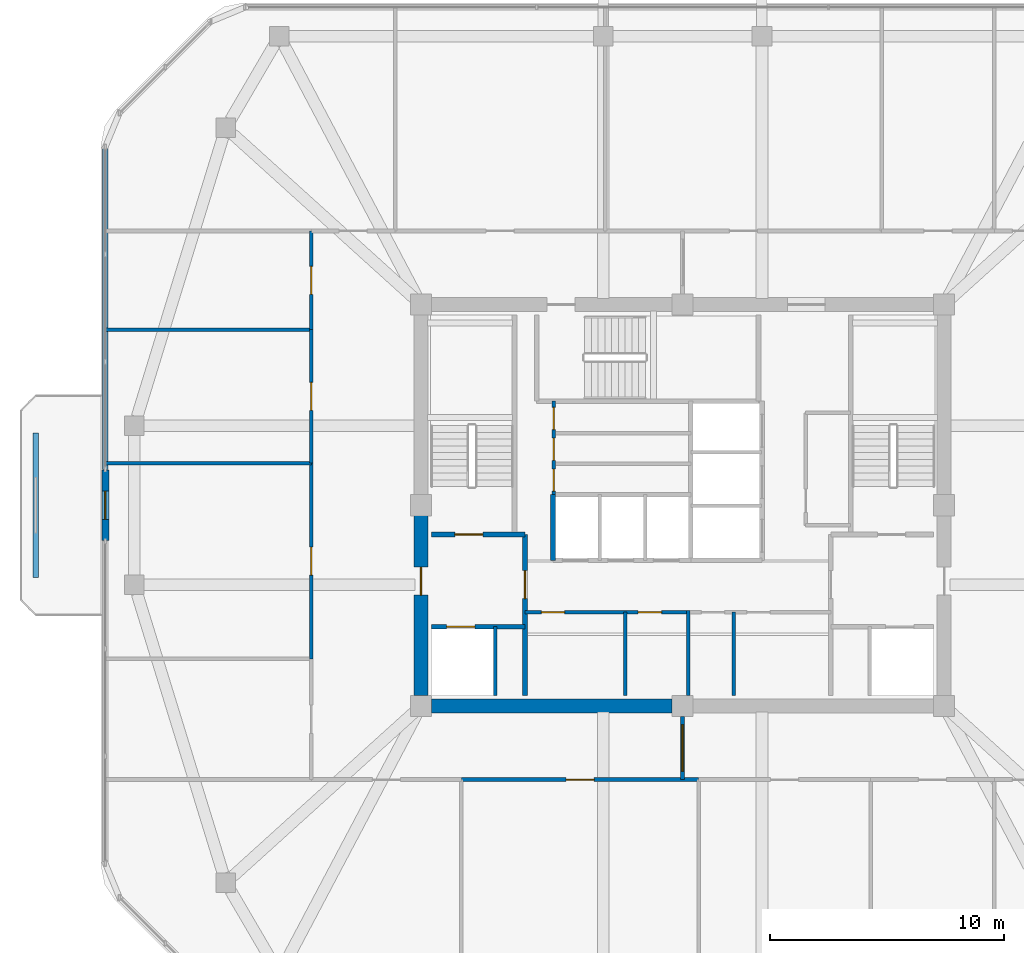
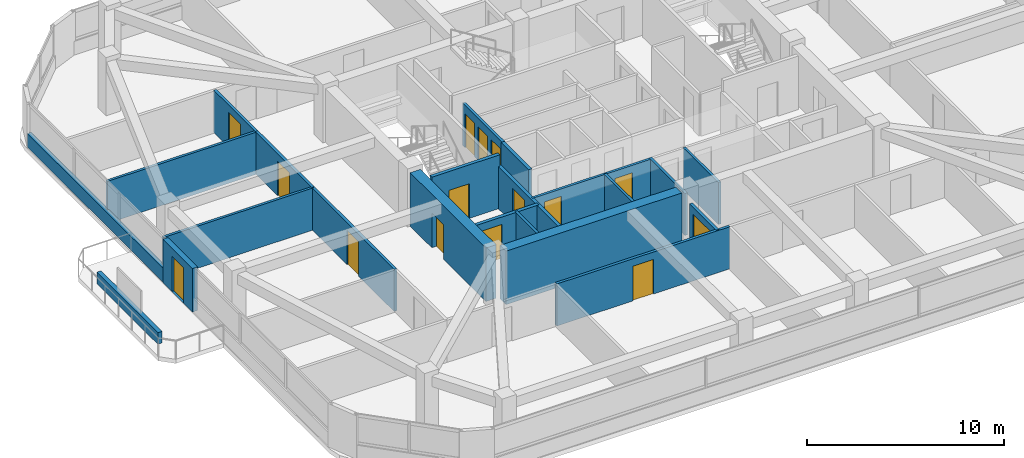
# One storey, part 9 of 14: 22 walls, 15 doors, 15 openings.
"""IFC4 building model written with IfcOpenShell, lengths in metres."""

from ifc_helpers import new_model, si_unit, derived_unit, direction, frame, frame_2d, origin, place, context, subcontext, project, spatial, rectangle, extrude, material, layer, layer_set, type_object, element, fill, save


model = new_model("IFC4")

# Units and contexts
model_context = context("Model", 3, precision=1e-05, world=origin(), true_north=direction((0.0, 1.0)))
body_context = subcontext(model_context, "Body", "Model", "MODEL_VIEW")
ifc_project = project(units=[si_unit("LENGTHUNIT", "METRE"), si_unit("AREAUNIT", "SQUARE_METRE"), si_unit("VOLUMEUNIT", "CUBIC_METRE"), si_unit("PLANEANGLEUNIT", "RADIAN"), si_unit("MASSUNIT", "GRAM", prefix="KILO"), derived_unit("THERMALTRANSMITTANCEUNIT", [(si_unit("POWERUNIT", "WATT"), 1), (si_unit("LENGTHUNIT", "METRE"), -2), (si_unit("THERMODYNAMICTEMPERATUREUNIT", "KELVIN"), -1)])], contexts=[model_context])

# Site, building, storey
site_placement = place(None, origin())
site = spatial("IfcSite", under=ifc_project, at=site_placement, CompositionType="ELEMENT")
building_placement = place(site_placement, origin())
building = spatial("IfcBuilding", under=site, at=building_placement, Name="Koralith Skygarden Medical Center", CompositionType="ELEMENT")
storey_placement = place(building_placement, frame((0.0, 0.0, 242.820068359375)))
storey = spatial("IfcBuildingStorey", under=building, at=storey_placement, Name="L62", CompositionType="ELEMENT", Elevation=242.820068359375)

# Wall, openings, doors
ifc_material_1 = material(Name="Gypsum Board Partition")
ifc_layer_1 = layer(ifc_material_1, 0.14990234375)
ifc_layer_set_1 = layer_set([ifc_layer_1], Name="Gypsum Board Partition")
wall_type_1 = type_object("IfcWallType", Name="Clinical Acoustic Partition 150", PredefinedType="PARTITIONING", material=ifc_layer_set_1)
wall_1_placement = place(storey_placement, frame((30.25, 21.320068359375, 0.0), z_axis=(0.0, 0.0, 1.0), x_axis=(1.0, 0.0, 0.0)))
wall_1 = element("IfcWall", 1, at=wall_1_placement, inside=storey, type_object=wall_type_1, Name="L62 Clinical Acoustic Partition 150 W-CORE-L62-FREED-LR-N", PredefinedType="PARTITIONING", context=body_context, shape_type="SweptSolid", body=[
    extrude(rectangle(XDim=7.0, YDim=0.14990234375, at=frame_2d((3.5, 0.0))), origin(), (0.0, 0.0, 1.0), 2.60986328125),
])
opening_1_placement = place(wall_1_placement, frame((0.699951171875, 0.0, 0.0)))
opening_1 = element("IfcOpeningElement", 2, at=opening_1_placement, cuts=wall_1, Name="Opening D-SUP", PredefinedType="OPENING", context=body_context, shape_type="SweptSolid", body=[
    extrude(rectangle(XDim=1.0, YDim=2.14990234375, at=frame_2d((0.5, 1.074951171875))), frame((0.0, 0.0849609375, 0.0), z_axis=(0.0, -1.0, 0.0), x_axis=(1.0, 0.0, 0.0)), (0.0, 0.0, 1.0), 0.169921875),
])
opening_2_placement = place(wall_1_placement, frame((4.85009765625, 0.0, 0.0)))
opening_2 = element("IfcOpeningElement", 3, at=opening_2_placement, cuts=wall_1, Name="Opening D-SUP", PredefinedType="OPENING", context=body_context, shape_type="SweptSolid", body=[
    extrude(rectangle(XDim=1.0, YDim=2.14990234375, at=frame_2d((0.5, 1.074951171875))), frame((0.0, 0.0849609375, 0.0), z_axis=(0.0, -1.0, 0.0), x_axis=(1.0, 0.0, 0.0)), (0.0, 0.0, 1.0), 0.169921875),
])
ifc_material_2 = material(Name="Aluminium 6063-T6", Category="aluminium")
door_type_1 = type_object("IfcDoorType", Name="Clinical Support Door D-SUP 1000", OperationType="NOTDEFINED", PredefinedType="DOOR", material=ifc_material_2)
door_1_placement = place(opening_1_placement, frame((1.0, 0.0, 0.0), z_axis=(0.0, 0.0, 1.0), x_axis=(-1.0, 0.0, 0.0)))
door_1 = element("IfcDoor", 4, at=door_1_placement, inside=storey, type_object=door_type_1, Name="L62 Medication Preparation Door", OperationType="SINGLE_SWING_LEFT", OverallHeight=2.14990234375, OverallWidth=1.0, PredefinedType="DOOR", context=body_context, shape_type="SweptSolid", body=[
    extrude(rectangle(XDim=1.0, YDim=2.14990234375, at=frame_2d((0.5, 1.074951171875))), frame((0.0, 0.02490234375, 0.0), z_axis=(0.0, -1.0, 0.0), x_axis=(1.0, 0.0, 0.0)), (0.0, 0.0, 1.0), 0.050048828125),
])
fill(opening_1, door_1)
door_2_placement = place(opening_2_placement, frame((1.0, 0.0, 0.0), z_axis=(0.0, 0.0, 1.0), x_axis=(-1.0, 0.0, 0.0)))
door_2 = element("IfcDoor", 5, at=door_2_placement, inside=storey, type_object=door_type_1, Name="L62 Telemetry Room Door", OperationType="SINGLE_SWING_RIGHT", OverallHeight=2.14990234375, OverallWidth=1.0, PredefinedType="DOOR", context=body_context, shape_type="SweptSolid", body=[
    extrude(rectangle(XDim=1.0, YDim=2.14990234375, at=frame_2d((0.5, 1.074951171875))), frame((0.0, 0.02490234375, 0.0), z_axis=(0.0, -1.0, 0.0), x_axis=(1.0, 0.0, 0.0)), (0.0, 0.0, 1.0), 0.050048828125),
])
fill(opening_2, door_2)

# Walls
for number, where, z_axis, x_axis, name in (
    (6, (34.550048828125, 17.75, 0.0), (0.0, 0.0, 1.0), (0.0, 1.0, 0.0), "L62 Clinical Acoustic Partition 150 W-CORE-L62-FREED-LR-M"),
    (7, (39.199951171875, 17.75, 0.0), (0.0, 0.0, 1.0), (0.0, 1.0, 0.0), "L62 Clinical Acoustic Partition 150 W-CORE-L62-FREED-MR-M"),
):
    element("IfcWall", number, at=place(storey_placement, frame(where, z_axis=z_axis, x_axis=x_axis)), inside=storey, type_object=wall_type_1, Name=name, PredefinedType="PARTITIONING", context=body_context, shape_type="SweptSolid", body=[
        extrude(rectangle(XDim=3.570068359375, YDim=0.14990234375, at=frame_2d((1.78515625, 0.0))), origin(), (0.0, 0.0, 1.0), 2.60986328125),
    ])
for number, where, z_axis, x_axis, name in (
    (8, (21.10009765625, 27.699951171875, 0.0), (0.0, 0.0, 1.0), (-1.0, 0.0, 0.0), "L62 Clinical Acoustic Partition 150 W-PART-L62-W-02"),
    (9, (21.10009765625, 33.419921875, 0.0), (0.0, 0.0, 1.0), (-1.0, 0.0, 0.0), "L62 Clinical Acoustic Partition 150 W-PART-L62-W-03"),
):
    element("IfcWall", number, at=place(storey_placement, frame(where, z_axis=z_axis, x_axis=x_axis)), inside=storey, type_object=wall_type_1, Name=name, PredefinedType="PARTITIONING", context=body_context, shape_type="SweptSolid", body=[
        extrude(rectangle(XDim=8.800048828125, YDim=0.14990234375, at=frame_2d((4.39990234375, 0.0))), origin(), (0.0, 0.0, 1.0), 2.60986328125),
    ])

# Wall, opening, door
ifc_layer_2 = layer(ifc_material_1, 0.1650390625)
ifc_layer_set_2 = layer_set([ifc_layer_2], Name="Gypsum Board Partition")
wall_type_2 = type_object("IfcWallType", Name="Clinical Corridor Partition 165", PredefinedType="PARTITIONING", material=ifc_layer_set_2)
wall_2_placement = place(storey_placement, frame((27.528076171875, 14.14990234375, 0.0), z_axis=(0.0, 0.0, 1.0), x_axis=(1.0, 0.0, 0.0)))
wall_2 = element("IfcWall", 10, at=wall_2_placement, inside=storey, type_object=wall_type_2, Name="L62 Clinical Corridor Partition 165 W-CORR-L62-S-02", PredefinedType="PARTITIONING", context=body_context, shape_type="SweptSolid", body=[
    extrude(rectangle(XDim=10.162841796875, YDim=0.1650390625, at=frame_2d((5.08154296875, 0.0))), origin(), (0.0, 0.0, 1.0), 2.60986328125),
])
opening_3_placement = place(wall_2_placement, frame((4.48193359375, 0.0, 0.0)))
opening_3 = element("IfcOpeningElement", 11, at=opening_3_placement, cuts=wall_2, Name="Opening D-CLN", PredefinedType="OPENING", context=body_context, shape_type="SweptSolid", body=[
    extrude(rectangle(XDim=1.199951171875, YDim=2.14990234375, at=frame_2d((0.60009765625, 1.074951171875))), frame((0.0, 0.092529296875, 0.0), z_axis=(0.0, -1.0, 0.0), x_axis=(1.0, 0.0, 0.0)), (0.0, 0.0, 1.0), 0.18505859375),
])
door_type_2 = type_object("IfcDoorType", Name="Clinical Corridor Door D-CLN 1200", OperationType="NOTDEFINED", PredefinedType="DOOR", material=ifc_material_2)
door_3_placement = place(opening_3_placement, frame((1.199951171875, 0.0, 0.0), z_axis=(0.0, 0.0, 1.0), x_axis=(-1.0, 0.0, 0.0)))
door_3 = element("IfcDoor", 12, at=door_3_placement, inside=storey, type_object=door_type_2, Name="L62 Social Work Counseling Office 07 Door", OperationType="SINGLE_SWING_RIGHT", OverallHeight=2.14990234375, OverallWidth=1.199951171875, PredefinedType="DOOR", context=body_context, shape_type="SweptSolid", body=[
    extrude(rectangle(XDim=1.199951171875, YDim=2.14990234375, at=frame_2d((0.60009765625, 1.074951171875))), frame((0.0, 0.02490234375, 0.0), z_axis=(0.0, -1.0, 0.0), x_axis=(1.0, 0.0, 0.0)), (0.0, 0.0, 1.0), 0.050048828125),
])
fill(opening_3, door_3)

wall_3_placement = place(storey_placement, frame((21.10009765625, 19.320068359375, 0.0), z_axis=(0.0, 0.0, 1.0), x_axis=(0.0, 1.0, 0.0)))
wall_3 = element("IfcWall", 13, at=wall_3_placement, inside=storey, type_object=wall_type_2, Name="L62 Clinical Corridor Partition 165 W-CORR-L62-W-02", PredefinedType="PARTITIONING", context=body_context, shape_type="SweptSolid", body=[
    extrude(rectangle(XDim=8.3798828125, YDim=0.1650390625, at=frame_2d((4.18994140625, 0.0))), origin(), (0.0, 0.0, 1.0), 2.60986328125),
])
opening_4_placement = place(wall_3_placement, frame((3.590087890625, 0.0, 0.0)))
opening_4 = element("IfcOpeningElement", 14, at=opening_4_placement, cuts=wall_3, Name="Opening D-CLN", PredefinedType="OPENING", context=body_context, shape_type="SweptSolid", body=[
    extrude(rectangle(XDim=1.199951171875, YDim=2.14990234375, at=frame_2d((0.60009765625, 1.074951171875))), frame((0.0, 0.092529296875, 0.0), z_axis=(0.0, -1.0, 0.0), x_axis=(1.0, 0.0, 0.0)), (0.0, 0.0, 1.0), 0.18505859375),
])
door_4_placement = place(opening_4_placement, frame((1.199951171875, 0.0, 0.0), z_axis=(0.0, 0.0, 1.0), x_axis=(-1.0, 0.0, 0.0)))
door_4 = element("IfcDoor", 15, at=door_4_placement, inside=storey, type_object=door_type_2, Name="L62 Patient and Family Sky-Garden Day Lounge 12 Door", OperationType="SINGLE_SWING_LEFT", OverallHeight=2.14990234375, OverallWidth=1.199951171875, PredefinedType="DOOR", context=body_context, shape_type="SweptSolid", body=[
    extrude(rectangle(XDim=1.199951171875, YDim=2.14990234375, at=frame_2d((0.60009765625, 1.074951171875))), frame((0.0, 0.02490234375, 0.0), z_axis=(0.0, -1.0, 0.0), x_axis=(1.0, 0.0, 0.0)), (0.0, 0.0, 1.0), 0.050048828125),
])
fill(opening_4, door_4)

wall_4_placement = place(storey_placement, frame((21.10009765625, 27.699951171875, 0.0), z_axis=(0.0, 0.0, 1.0), x_axis=(0.0, 1.0, 0.0)))
wall_4 = element("IfcWall", 16, at=wall_4_placement, inside=storey, type_object=wall_type_2, Name="L62 Clinical Corridor Partition 165 W-CORR-L62-W-03", PredefinedType="PARTITIONING", context=body_context, shape_type="SweptSolid", body=[
    extrude(rectangle(XDim=5.719970703125, YDim=0.1650390625, at=frame_2d((2.85986328125, 0.0))), origin(), (0.0, 0.0, 1.0), 2.60986328125),
])
opening_5_placement = place(wall_4_placement, frame((2.260009765625, 0.0, 0.0)))
opening_5 = element("IfcOpeningElement", 17, at=opening_5_placement, cuts=wall_4, Name="Opening D-CLN", PredefinedType="OPENING", context=body_context, shape_type="SweptSolid", body=[
    extrude(rectangle(XDim=1.199951171875, YDim=2.14990234375, at=frame_2d((0.60009765625, 1.074951171875))), frame((0.0, 0.092529296875, 0.0), z_axis=(0.0, -1.0, 0.0), x_axis=(1.0, 0.0, 0.0)), (0.0, 0.0, 1.0), 0.18505859375),
])
door_5_placement = place(opening_5_placement, frame((1.199951171875, 0.0, 0.0), z_axis=(0.0, 0.0, 1.0), x_axis=(-1.0, 0.0, 0.0)))
door_5 = element("IfcDoor", 18, at=door_5_placement, inside=storey, type_object=door_type_2, Name="L62 Clinical Consultation Office 13 Door", OperationType="SINGLE_SWING_RIGHT", OverallHeight=2.14990234375, OverallWidth=1.199951171875, PredefinedType="DOOR", context=body_context, shape_type="SweptSolid", body=[
    extrude(rectangle(XDim=1.199951171875, YDim=2.14990234375, at=frame_2d((0.60009765625, 1.074951171875))), frame((0.0, 0.02490234375, 0.0), z_axis=(0.0, -1.0, 0.0), x_axis=(1.0, 0.0, 0.0)), (0.0, 0.0, 1.0), 0.050048828125),
])
fill(opening_5, door_5)

wall_5_placement = place(storey_placement, frame((21.10009765625, 33.419921875, 0.0), z_axis=(0.0, 0.0, 1.0), x_axis=(0.0, 1.0, 0.0)))
wall_5 = element("IfcWall", 19, at=wall_5_placement, inside=storey, type_object=wall_type_2, Name="L62 Clinical Corridor Partition 165 W-CORR-L62-W-04", PredefinedType="PARTITIONING", context=body_context, shape_type="SweptSolid", body=[
    extrude(rectangle(XDim=4.22998046875, YDim=0.1650390625, at=frame_2d((2.114990234375, 0.0))), origin(), (0.0, 0.0, 1.0), 2.60986328125),
])
opening_6_placement = place(wall_5_placement, frame((1.514892578125, 0.0, 0.0)))
opening_6 = element("IfcOpeningElement", 20, at=opening_6_placement, cuts=wall_5, Name="Opening D-CLN", PredefinedType="OPENING", context=body_context, shape_type="SweptSolid", body=[
    extrude(rectangle(XDim=1.199951171875, YDim=2.14990234375, at=frame_2d((0.60009765625, 1.074951171875))), frame((0.0, 0.092529296875, 0.0), z_axis=(0.0, -1.0, 0.0), x_axis=(1.0, 0.0, 0.0)), (0.0, 0.0, 1.0), 0.18505859375),
])
door_6_placement = place(opening_6_placement, frame((1.199951171875, 0.0, 0.0), z_axis=(0.0, 0.0, 1.0), x_axis=(-1.0, 0.0, 0.0)))
door_6 = element("IfcDoor", 21, at=door_6_placement, inside=storey, type_object=door_type_2, Name="L62 Staff Refreshment and Nutrition Pantry 14 Door", OperationType="SINGLE_SWING_LEFT", OverallHeight=2.14990234375, OverallWidth=1.199951171875, PredefinedType="DOOR", context=body_context, shape_type="SweptSolid", body=[
    extrude(rectangle(XDim=1.199951171875, YDim=2.14990234375, at=frame_2d((0.60009765625, 1.074951171875))), frame((0.0, 0.02490234375, 0.0), z_axis=(0.0, -1.0, 0.0), x_axis=(1.0, 0.0, 0.0)), (0.0, 0.0, 1.0), 0.050048828125),
])
fill(opening_6, door_6)

ifc_layer_3 = layer(ifc_material_1, 0.199951171875)
ifc_layer_set_3 = layer_set([ifc_layer_3], Name="Gypsum Board Partition")
wall_type_3 = type_object("IfcWallType", Name="Fire Shaft Wall 200", PredefinedType="SOLIDWALL", material=ifc_layer_set_3)
wall_6_placement = place(storey_placement, frame((26.25, 20.699951171875, 0.0), z_axis=(0.0, 0.0, 1.0), x_axis=(1.0, 0.0, 0.0)))
wall_6 = element("IfcWall", 22, at=wall_6_placement, inside=storey, type_object=wall_type_3, Name="L62 Fire Shaft Wall 200 W-CORE-L62-FF1-N", PredefinedType="SOLIDWALL", context=body_context, shape_type="SweptSolid", body=[
    extrude(rectangle(XDim=4.0, YDim=0.199951171875, at=frame_2d((2.0, 0.0))), origin(), (0.0, 0.0, 1.0), 2.60986328125),
])
opening_7_placement = place(wall_6_placement, frame((0.64990234375, 0.0, 0.0)))
opening_7 = element("IfcOpeningElement", 23, at=opening_7_placement, cuts=wall_6, Name="Opening LD-FF", PredefinedType="OPENING", context=body_context, shape_type="SweptSolid", body=[
    extrude(rectangle(XDim=1.199951171875, YDim=2.14990234375, at=frame_2d((0.60009765625, 1.074951171875))), frame((0.0, 0.10986328125, 0.0), z_axis=(0.0, -1.0, 0.0), x_axis=(1.0, 0.0, 0.0)), (0.0, 0.0, 1.0), 0.219970703125),
])
ifc_material_3 = material(Name="Steel ASTM A500 Grade C", Category="steel")
door_type_3 = type_object("IfcDoorType", Name="Fire Lift Sliding Landing Door LD-FF 1200", OperationType="NOTDEFINED", PredefinedType="DOOR", material=ifc_material_3)
door_7_placement = place(opening_7_placement, origin())
door_7 = element("IfcDoor", 24, at=door_7_placement, inside=storey, type_object=door_type_3, Name="L62 Fire Service Elevator FF1 Landing Door", OperationType="SLIDING_TO_LEFT", OverallHeight=2.14990234375, OverallWidth=1.199951171875, PredefinedType="DOOR", context=body_context, shape_type="SweptSolid", body=[
    extrude(rectangle(XDim=1.199951171875, YDim=2.14990234375, at=frame_2d((0.60009765625, 1.074951171875))), frame((0.0, 0.02490234375, 0.0), z_axis=(0.0, -1.0, 0.0), x_axis=(1.0, 0.0, 0.0)), (0.0, 0.0, 1.0), 0.050048828125),
])
fill(opening_7, door_7)

wall_7_placement = place(storey_placement, frame((30.25, 17.75, 0.0), z_axis=(0.0, 0.0, 1.0), x_axis=(0.0, 1.0, 0.0)))
wall_7 = element("IfcWall", 25, at=wall_7_placement, inside=storey, type_object=wall_type_3, Name="L62 Fire Shaft Wall 200 W-CORE-L62-FSAEW-E", PredefinedType="SOLIDWALL", context=body_context, shape_type="SweptSolid", body=[
    extrude(rectangle(XDim=6.89990234375, YDim=0.199951171875, at=frame_2d((3.449951171875, 0.0))), origin(), (0.0, 0.0, 1.0), 2.60986328125),
])
opening_8_placement = place(wall_7_placement, frame((4.14990234375, 0.0, 0.0)))
opening_8 = element("IfcOpeningElement", 26, at=opening_8_placement, cuts=wall_7, Name="Opening D-ST60", PredefinedType="OPENING", context=body_context, shape_type="SweptSolid", body=[
    extrude(rectangle(XDim=1.199951171875, YDim=2.14990234375, at=frame_2d((0.60009765625, 1.074951171875))), frame((0.0, 0.10986328125, 0.0), z_axis=(0.0, -1.0, 0.0), x_axis=(1.0, 0.0, 0.0)), (0.0, 0.0, 1.0), 0.219970703125),
])
door_type_4 = type_object("IfcDoorType", Name="Smokeproof Stair Fire Door FD60S 1200", OperationType="NOTDEFINED", PredefinedType="DOOR", material=ifc_material_3)
door_8_placement = place(opening_8_placement, origin())
door_8 = element("IfcDoor", 27, at=door_8_placement, inside=storey, type_object=door_type_4, Name="L62 West Firefighting Lobby Inner Fire Door", OperationType="SINGLE_SWING_LEFT", OverallHeight=2.14990234375, OverallWidth=1.199951171875, PredefinedType="DOOR", context=body_context, shape_type="SweptSolid", body=[
    extrude(rectangle(XDim=1.199951171875, YDim=2.14990234375, at=frame_2d((0.60009765625, 1.074951171875))), frame((0.0, 0.02490234375, 0.0), z_axis=(0.0, -1.0, 0.0), x_axis=(1.0, 0.0, 0.0)), (0.0, 0.0, 1.0), 0.050048828125),
])
fill(opening_8, door_8)

# Wall
wall_8_placement = place(storey_placement, frame((31.449951171875, 23.5400390625, 0.0), z_axis=(0.0, 0.0, 1.0), x_axis=(0.0, 1.0, 0.0)))
element("IfcWall", 28, at=wall_8_placement, inside=storey, type_object=wall_type_3, Name="L62 Fire Shaft Wall 200 W-CORE-L62-PH-W", PredefinedType="SOLIDWALL", context=body_context, shape_type="SweptSolid", body=[
    extrude(rectangle(XDim=2.81005859375, YDim=0.199951171875, at=frame_2d((1.405029296875, 0.0))), origin(), (0.0, 0.0, 1.0), 2.60986328125),
])

# Wall, opening, door
ifc_layer_4 = layer(ifc_material_1, 0.179931640625)
ifc_layer_set_4 = layer_set([ifc_layer_4], Name="Gypsum Board Partition")
wall_type_4 = type_object("IfcWallType", Name="Group I-2 Smoke Barrier Wall 180", PredefinedType="PARTITIONING", material=ifc_layer_set_4)
wall_9_placement = place(storey_placement, frame((37.0, 14.14990234375, 0.0), z_axis=(0.0, 0.0, 1.0), x_axis=(0.0, 1.0, 0.0)))
wall_9 = element("IfcWall", 29, at=wall_9_placement, inside=storey, type_object=wall_type_4, Name="L62 Group I-2 Smoke Barrier Wall 180 W-SMK-L62-S", PredefinedType="PARTITIONING", context=body_context, shape_type="SweptSolid", body=[
    extrude(rectangle(XDim=2.7001953125, YDim=0.179931640625, at=frame_2d((1.35009765625, 0.0))), origin(), (0.0, 0.0, 1.0), 2.60986328125),
])
opening_9_placement = place(wall_9_placement, frame((0.35009765625, 0.0, 0.0)))
opening_9 = element("IfcOpeningElement", 30, at=opening_9_placement, cuts=wall_9, Name="Opening D-SMK", PredefinedType="OPENING", context=body_context, shape_type="SweptSolid", body=[
    extrude(rectangle(XDim=2.0, YDim=2.199951171875, at=frame_2d((1.0, 1.10009765625))), frame((0.0, 0.099853515625, 0.0), z_axis=(0.0, -1.0, 0.0), x_axis=(1.0, 0.0, 0.0)), (0.0, 0.0, 1.0), 0.199951171875),
])
door_type_5 = type_object("IfcDoorType", Name="Cross-Corridor Double Smoke Door FD60S 2000", OperationType="NOTDEFINED", PredefinedType="DOOR", material=ifc_material_3)
door_9_placement = place(opening_9_placement, frame((2.0, 0.0, 0.0), z_axis=(0.0, 0.0, 1.0), x_axis=(-1.0, 0.0, 0.0)))
door_9 = element("IfcDoor", 31, at=door_9_placement, inside=storey, type_object=door_type_5, Name="L62 S Smoke Compartment Cross-Corridor Door", OperationType="DOUBLE_DOOR_SINGLE_SWING", OverallHeight=2.199951171875, OverallWidth=2.0, PredefinedType="DOOR", context=body_context, shape_type="SweptSolid", body=[
    extrude(rectangle(XDim=2.0, YDim=2.199951171875, at=frame_2d((1.0, 1.10009765625))), frame((0.0, 0.02490234375, 0.0), z_axis=(0.0, -1.0, 0.0), x_axis=(1.0, 0.0, 0.0)), (0.0, 0.0, 1.0), 0.050048828125),
])
fill(opening_9, door_9)

# Wall
ifc_material_4 = material(Name="Warm Oolitic Limestone Cladding", Category="masonry")
ifc_layer_5 = layer(ifc_material_4, 0.239990234375)
ifc_layer_set_5 = layer_set([ifc_layer_5], Name="Warm Oolitic Limestone Cladding")
wall_type_5 = type_object("IfcWallType", Name="Limestone Spandrel Sill Backup Wall 240", PredefinedType="SOLIDWALL", material=ifc_layer_set_5)
wall_10_placement = place(storey_placement, frame((12.280029296875, 41.2451171875, 0.0), z_axis=(0.0, 0.0, 1.0), x_axis=(0.0, -1.0, 0.0)))
element("IfcWall", 32, at=wall_10_placement, inside=storey, type_object=wall_type_5, Name="L62 Sill Spandrel W-L", PredefinedType="SOLIDWALL", context=body_context, shape_type="SweptSolid", body=[
    extrude(rectangle(XDim=13.80517578125, YDim=0.239990234375, at=frame_2d((6.902587890625, 0.0))), origin(), (0.0, 0.0, 1.0), 0.849853515625),
])

# Wall, opening, door
ifc_layer_6 = layer(ifc_material_4, 0.300048828125)
ifc_layer_set_6 = layer_set([ifc_layer_6], Name="Warm Oolitic Limestone Cladding")
wall_type_6 = type_object("IfcWallType", Name="Oolitic Limestone Insulated Facade Wall 300", PredefinedType="SOLIDWALL", material=ifc_layer_set_6)
wall_11_placement = place(storey_placement, frame((12.280029296875, 27.39990234375, 0.0), z_axis=(0.0, 0.0, 1.0), x_axis=(0.0, -1.0, 0.0)))
wall_11 = element("IfcWall", 33, at=wall_11_placement, inside=storey, type_object=wall_type_6, Name="L62 Terrace Portal Wall W", PredefinedType="SOLIDWALL", context=body_context, shape_type="SweptSolid", body=[
    extrude(rectangle(XDim=3.0, YDim=0.300048828125, at=frame_2d((1.5, 0.0))), origin(), (0.0, 0.0, 1.0), 2.68994140625),
])
opening_10_placement = place(wall_11_placement, frame((0.89990234375, 0.0, 0.0)))
opening_10 = element("IfcOpeningElement", 34, at=opening_10_placement, cuts=wall_11, Name="Opening D-BAL", PredefinedType="OPENING", context=body_context, shape_type="SweptSolid", body=[
    extrude(rectangle(XDim=1.199951171875, YDim=2.199951171875, at=frame_2d((0.60009765625, 1.10009765625))), frame((0.0, 0.159912109375, 0.0), z_axis=(0.0, -1.0, 0.0), x_axis=(1.0, 0.0, 0.0)), (0.0, 0.0, 1.0), 0.320068359375),
])
door_type_6 = type_object("IfcDoorType", Name="Planted Balcony Glazed Terrace Door D-BAL 1200", OperationType="NOTDEFINED", PredefinedType="DOOR", material=ifc_material_2)
door_10_placement = place(opening_10_placement, origin())
door_10 = element("IfcDoor", 35, at=door_10_placement, inside=storey, type_object=door_type_6, Name="L62 W Outdoor Terrace Access Door", OperationType="SINGLE_SWING_LEFT", OverallHeight=2.199951171875, OverallWidth=1.199951171875, PredefinedType="DOOR", context=body_context, shape_type="SweptSolid", body=[
    extrude(rectangle(XDim=1.199951171875, YDim=2.199951171875, at=frame_2d((0.60009765625, 1.10009765625))), frame((0.0, 0.02490234375, 0.0), z_axis=(0.0, -1.0, 0.0), x_axis=(1.0, 0.0, 0.0)), (0.0, 0.0, 1.0), 0.050048828125),
])
fill(opening_10, door_10)

# Wall, openings, doors
ifc_layer_7 = layer(ifc_material_1, 0.1650390625)
ifc_layer_set_7 = layer_set([ifc_layer_7], Name="Gypsum Board Partition")
wall_type_7 = type_object("IfcWallType", Name="Plumbing Wet Wall 165", PredefinedType="PLUMBINGWALL", material=ifc_layer_set_7)
wall_12_placement = place(storey_placement, frame((31.47998046875, 26.320068359375, 0.0), z_axis=(0.0, 0.0, 1.0), x_axis=(0.0, 1.0, 0.0)))
wall_12 = element("IfcWall", 36, at=wall_12_placement, inside=storey, type_object=wall_type_7, Name="L62 Plumbing Wet Wall 165 W-CORE-L62-FLEX-W", PredefinedType="PLUMBINGWALL", context=body_context, shape_type="SweptSolid", body=[
    extrude(rectangle(XDim=4.0400390625, YDim=0.1650390625, at=frame_2d((2.02001953125, 0.0))), origin(), (0.0, 0.0, 1.0), 2.60986328125),
])
opening_11_placement = place(wall_12_placement, frame((0.179931640625, 0.0, 0.0)))
opening_11 = element("IfcOpeningElement", 37, at=opening_11_placement, cuts=wall_12, Name="Opening D-WC", PredefinedType="OPENING", context=body_context, shape_type="SweptSolid", body=[
    extrude(rectangle(XDim=0.949951171875, YDim=2.10009765625, at=frame_2d((0.47509765625, 1.050048828125))), frame((0.0, 0.092529296875, 0.0), z_axis=(0.0, -1.0, 0.0), x_axis=(1.0, 0.0, 0.0)), (0.0, 0.0, 1.0), 0.18505859375),
])
opening_12_placement = place(wall_12_placement, frame((1.5, 0.0, 0.0)))
opening_12 = element("IfcOpeningElement", 38, at=opening_12_placement, cuts=wall_12, Name="Opening D-WC", PredefinedType="OPENING", context=body_context, shape_type="SweptSolid", body=[
    extrude(rectangle(XDim=0.949951171875, YDim=2.10009765625, at=frame_2d((0.47509765625, 1.050048828125))), frame((0.0, 0.092529296875, 0.0), z_axis=(0.0, -1.0, 0.0), x_axis=(1.0, 0.0, 0.0)), (0.0, 0.0, 1.0), 0.18505859375),
])
opening_13_placement = place(wall_12_placement, frame((2.820068359375, 0.0, 0.0)))
opening_13 = element("IfcOpeningElement", 39, at=opening_13_placement, cuts=wall_12, Name="Opening D-WC", PredefinedType="OPENING", context=body_context, shape_type="SweptSolid", body=[
    extrude(rectangle(XDim=0.949951171875, YDim=2.10009765625, at=frame_2d((0.47509765625, 1.050048828125))), frame((0.0, 0.092529296875, 0.0), z_axis=(0.0, -1.0, 0.0), x_axis=(1.0, 0.0, 0.0)), (0.0, 0.0, 1.0), 0.18505859375),
])
door_type_7 = type_object("IfcDoorType", Name="Accessible Toilet Door D-WC 950", OperationType="NOTDEFINED", PredefinedType="DOOR", material=ifc_material_2)
door_11_placement = place(opening_11_placement, frame((0.949951171875, 0.0, 0.0), z_axis=(0.0, 0.0, 1.0), x_axis=(-1.0, 0.0, 0.0)))
door_11 = element("IfcDoor", 40, at=door_11_placement, inside=storey, type_object=door_type_7, Name="L62 Core Accessible WC Door", OperationType="SINGLE_SWING_LEFT", OverallHeight=2.10009765625, OverallWidth=0.949951171875, PredefinedType="DOOR", context=body_context, shape_type="SweptSolid", body=[
    extrude(rectangle(XDim=0.949951171875, YDim=2.10009765625, at=frame_2d((0.47509765625, 1.050048828125))), frame((0.0, 0.02490234375, 0.0), z_axis=(0.0, -1.0, 0.0), x_axis=(1.0, 0.0, 0.0)), (0.0, 0.0, 1.0), 0.050048828125),
])
fill(opening_11, door_11)
door_12_placement = place(opening_12_placement, frame((0.949951171875, 0.0, 0.0), z_axis=(0.0, 0.0, 1.0), x_axis=(-1.0, 0.0, 0.0)))
door_12 = element("IfcDoor", 41, at=door_12_placement, inside=storey, type_object=door_type_7, Name="L62 Staff Pantry Door", OperationType="SINGLE_SWING_LEFT", OverallHeight=2.10009765625, OverallWidth=0.949951171875, PredefinedType="DOOR", context=body_context, shape_type="SweptSolid", body=[
    extrude(rectangle(XDim=0.949951171875, YDim=2.10009765625, at=frame_2d((0.47509765625, 1.050048828125))), frame((0.0, 0.02490234375, 0.0), z_axis=(0.0, -1.0, 0.0), x_axis=(1.0, 0.0, 0.0)), (0.0, 0.0, 1.0), 0.050048828125),
])
fill(opening_12, door_12)
door_13_placement = place(opening_13_placement, frame((0.949951171875, 0.0, 0.0), z_axis=(0.0, 0.0, 1.0), x_axis=(-1.0, 0.0, 0.0)))
door_13 = element("IfcDoor", 42, at=door_13_placement, inside=storey, type_object=door_type_7, Name="L62 IT Comms Door", OperationType="SINGLE_SWING_RIGHT", OverallHeight=2.10009765625, OverallWidth=0.949951171875, PredefinedType="DOOR", context=body_context, shape_type="SweptSolid", body=[
    extrude(rectangle(XDim=0.949951171875, YDim=2.10009765625, at=frame_2d((0.47509765625, 1.050048828125))), frame((0.0, 0.02490234375, 0.0), z_axis=(0.0, -1.0, 0.0), x_axis=(1.0, 0.0, 0.0)), (0.0, 0.0, 1.0), 0.050048828125),
])
fill(opening_13, door_13)

# Walls
ifc_layer_8 = layer(ifc_material_1, 0.14990234375)
ifc_layer_set_8 = layer_set([ifc_layer_8], Name="Gypsum Board Partition")
wall_type_8 = type_object("IfcWallType", Name="Shaft Partition Wall 150", PredefinedType="PARTITIONING", material=ifc_layer_set_8)
wall_13_placement = place(storey_placement, frame((28.969970703125, 17.75, 0.0), z_axis=(0.0, 0.0, 1.0), x_axis=(0.0, 1.0, 0.0)))
element("IfcWall", 43, at=wall_13_placement, inside=storey, type_object=wall_type_8, Name="L62 Shaft Partition Wall 150 W-CORE-L62-RSRW-DIV", PredefinedType="PARTITIONING", context=body_context, shape_type="SweptSolid", body=[
    extrude(rectangle(XDim=2.949951171875, YDim=0.14990234375, at=frame_2d((1.47509765625, 0.0))), origin(), (0.0, 0.0, 1.0), 2.60986328125),
])
wall_14_placement = place(storey_placement, frame((37.25, 17.75, 0.0), z_axis=(0.0, 0.0, 1.0), x_axis=(0.0, 1.0, 0.0)))
element("IfcWall", 44, at=wall_14_placement, inside=storey, type_object=wall_type_8, Name="L62 Shaft Partition Wall 150 W-CORE-L62-PL-PM-SEP", PredefinedType="PARTITIONING", context=body_context, shape_type="SweptSolid", body=[
    extrude(rectangle(XDim=3.64990234375, YDim=0.14990234375, at=frame_2d((1.824951171875, 0.0))), origin(), (0.0, 0.0, 1.0), 2.60986328125),
])
ifc_material_5 = material(Name="Precast concrete C40/50", Category="concrete")
ifc_layer_9 = layer(ifc_material_5, 0.25)
ifc_layer_set_9 = layer_set([ifc_layer_9], Name="Precast concrete C40/50")
wall_type_9 = type_object("IfcWallType", Name="Structural Concrete Balcony Planter Kerb 250", PredefinedType="PARAPET", material=ifc_layer_set_9)
wall_15_placement = place(storey_placement, frame((9.300048828125, 22.800048828125, 0.0), z_axis=(0.0, 0.0, 1.0), x_axis=(0.0, 1.0, 0.0)))
element("IfcWall", 45, at=wall_15_placement, inside=storey, type_object=wall_type_9, Name="L62 W Structural Tree PLANTER Box", PredefinedType="PARAPET", context=body_context, shape_type="SweptSolid", body=[
    extrude(rectangle(XDim=6.199951171875, YDim=0.25, at=frame_2d((3.10009765625, 0.0))), origin(), (0.0, 0.0, 1.0), 0.719970703125),
])

# Wall, opening, door
ifc_material_6 = material(Name="Concrete C45/55", Category="concrete")
ifc_layer_10 = layer(ifc_material_6, 0.199951171875)
ifc_layer_set_10 = layer_set([ifc_layer_10], Name="Concrete C45/55")
wall_type_10 = type_object("IfcWallType", Name="Structural Stair Shaft Wall 200", PredefinedType="SHEAR", material=ifc_layer_set_10)
wall_16_placement = place(storey_placement, frame((26.25, 24.64990234375, 0.0), z_axis=(0.0, 0.0, 1.0), x_axis=(1.0, 0.0, 0.0)))
wall_16 = element("IfcWall", 46, at=wall_16_placement, inside=storey, type_object=wall_type_10, Name="L62 Structural Stair Shaft Wall 200 W-CORE-L62-ST1-S", PredefinedType="SHEAR", context=body_context, shape_type="SweptSolid", body=[
    extrude(rectangle(XDim=4.0, YDim=0.199951171875, at=frame_2d((2.0, 0.0))), origin(), (0.0, 0.0, 1.0), 3.31982421875),
])
opening_14_placement = place(wall_16_placement, frame((1.0, 0.0, 0.0)))
opening_14 = element("IfcOpeningElement", 47, at=opening_14_placement, cuts=wall_16, Name="Opening D-ST60", PredefinedType="OPENING", context=body_context, shape_type="SweptSolid", body=[
    extrude(rectangle(XDim=1.199951171875, YDim=2.14990234375, at=frame_2d((0.60009765625, 1.074951171875))), frame((0.0, 0.10986328125, 0.0), z_axis=(0.0, -1.0, 0.0), x_axis=(1.0, 0.0, 0.0)), (0.0, 0.0, 1.0), 0.219970703125),
])
door_14_placement = place(opening_14_placement, origin())
door_14 = element("IfcDoor", 48, at=door_14_placement, inside=storey, type_object=door_type_4, Name="L62 Exit Stair ST1 Fire Door", OperationType="SINGLE_SWING_LEFT", OverallHeight=2.14990234375, OverallWidth=1.199951171875, PredefinedType="DOOR", context=body_context, shape_type="SweptSolid", body=[
    extrude(rectangle(XDim=1.199951171875, YDim=2.14990234375, at=frame_2d((0.60009765625, 1.074951171875))), frame((0.0, 0.02490234375, 0.0), z_axis=(0.0, -1.0, 0.0), x_axis=(1.0, 0.0, 0.0)), (0.0, 0.0, 1.0), 0.050048828125),
])
fill(opening_14, door_14)

# Wall
ifc_material_7 = material(Name="Concrete C55/67", Category="concrete")
ifc_layer_11 = layer(ifc_material_7, 0.60009765625)
ifc_layer_set_11 = layer_set([ifc_layer_11], Name="Concrete C55/67")
wall_type_11 = type_object("IfcWallType", Name="Upper Core Shear Wall 600", PredefinedType="SHEAR", material=ifc_layer_set_11)
wall_17_placement = place(storey_placement, frame((26.2451171875, 17.300048828125, 0.0), z_axis=(0.0, 0.0, 1.0), x_axis=(1.0, 0.0, 0.0)))
element("IfcWall", 49, at=wall_17_placement, inside=storey, type_object=wall_type_11, Name="L62 Core Shear Wall Segment 1", PredefinedType="SHEAR", context=body_context, shape_type="SweptSolid", body=[
    extrude(rectangle(XDim=10.309814453125, YDim=0.60009765625, at=frame_2d((5.15478515625, 0.0))), origin(), (0.0, 0.0, 1.0), 3.31982421875),
])

# Wall, opening, door
wall_18_placement = place(storey_placement, frame((25.800048828125, 25.455078125, 0.0), z_axis=(0.0, 0.0, 1.0), x_axis=(0.0, -1.0, 0.0)))
wall_18 = element("IfcWall", 50, at=wall_18_placement, inside=storey, type_object=wall_type_11, Name="L62 Core Shear Wall Segment 8", PredefinedType="SHEAR", context=body_context, shape_type="SweptSolid", body=[
    extrude(rectangle(XDim=7.7099609375, YDim=0.60009765625, at=frame_2d((3.85498046875, 0.0))), origin(), (0.0, 0.0, 1.0), 3.31982421875),
])
opening_15_placement = place(wall_18_placement, frame((2.205078125, 0.0, 0.0)))
opening_15 = element("IfcOpeningElement", 51, at=opening_15_placement, cuts=wall_18, Name="Opening D-ST60", PredefinedType="OPENING", context=body_context, shape_type="SweptSolid", body=[
    extrude(rectangle(XDim=1.199951171875, YDim=2.14990234375, at=frame_2d((0.60009765625, 1.074951171875))), frame((0.0, 0.31005859375, 0.0), z_axis=(0.0, -1.0, 0.0), x_axis=(1.0, 0.0, 0.0)), (0.0, 0.0, 1.0), 0.6201171875),
])
door_15_placement = place(opening_15_placement, frame((1.199951171875, 0.0, 0.0), z_axis=(0.0, 0.0, 1.0), x_axis=(-1.0, 0.0, 0.0)))
door_15 = element("IfcDoor", 52, at=door_15_placement, inside=storey, type_object=door_type_4, Name="L62 West Corridor to Firefighting Lobby Door", OperationType="SINGLE_SWING_LEFT", OverallHeight=2.14990234375, OverallWidth=1.199951171875, PredefinedType="DOOR", context=body_context, shape_type="SweptSolid", body=[
    extrude(rectangle(XDim=1.199951171875, YDim=2.14990234375, at=frame_2d((0.60009765625, 1.074951171875))), frame((0.0, 0.02490234375, 0.0), z_axis=(0.0, -1.0, 0.0), x_axis=(1.0, 0.0, 0.0)), (0.0, 0.0, 1.0), 0.050048828125),
])
fill(opening_15, door_15)

save(model, "model.ifc")
